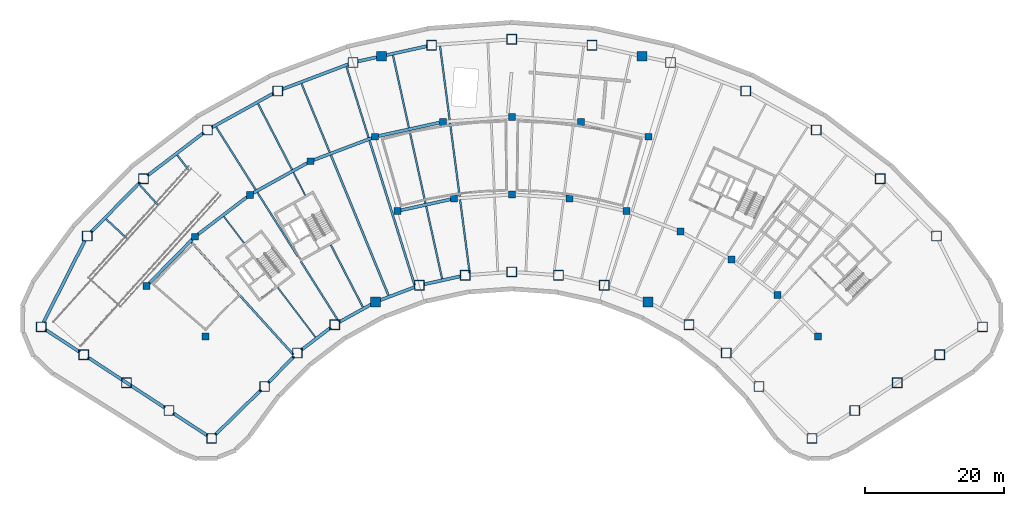
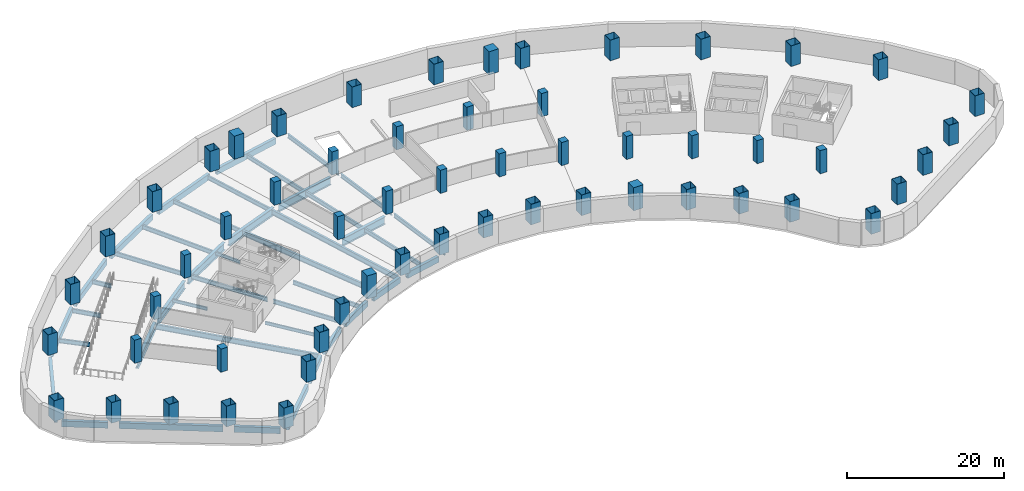
# One storey, part 1 of 10: 57 columns, 43 beams.
"""IFC4 building model written with IfcOpenShell, lengths in metres."""

from ifc_helpers import new_model, si_unit, direction, frame, origin, origin_2d, place, context, subcontext, project, spatial, rectangle, hollow_rectangle, i_section, extrude, material, material_profile, profile_set, type_object, element, save


model = new_model("IFC4")

# Units and contexts
model_context = context("Model", 3, precision=1e-05, world=origin(), true_north=direction((0.0, 1.0)))
body_context = subcontext(model_context, "Body", "Model", "MODEL_VIEW")
ifc_project = project(units=[si_unit("LENGTHUNIT", "METRE"), si_unit("AREAUNIT", "SQUARE_METRE"), si_unit("VOLUMEUNIT", "CUBIC_METRE"), si_unit("PLANEANGLEUNIT", "RADIAN"), si_unit("MASSUNIT", "GRAM", prefix="KILO")], contexts=[model_context])

# Site, building, storey
site_placement = place(None, origin())
site = spatial("IfcSite", under=ifc_project, at=site_placement, CompositionType="ELEMENT")
building_placement = place(site_placement, origin())
building = spatial("IfcBuilding", under=site, at=building_placement, Name="Tuul Gate Civic Tower", CompositionType="ELEMENT")
storey_placement = place(building_placement, frame((0.0, 0.0, -8.10009765625)))
storey = spatial("IfcBuildingStorey", under=building, at=storey_placement, Name="Basement 2", CompositionType="ELEMENT", Elevation=-8.10009765625)

# Columns
ifc_material_1 = material(Name="Steel S355", Category="steel")
ifc_material_profile_1 = material_profile(ifc_material_1, hollow_rectangle(XDim=1.39990234375, YDim=1.39990234375, WallThickness=0.0400390625, at=origin_2d()), Name="BOX1400x1400x40")
ifc_profile_set_1 = profile_set([ifc_material_profile_1], Name="Steel S355")
column_type_1 = type_object("IfcColumnType", Name="STR-COLUMN-BOX1400x1400x40", PredefinedType="COLUMN", material=ifc_profile_set_1)
for number, where, z_axis, x_axis, name in (
    (1, (67.56201171875, -21.366943359375, 0.0), (0.0, 0.0, 1.0), (1.0, 0.0, 0.0), "Column"),
    (2, (60.9609375, -8.327880859375, 0.0), (0.0, 0.0, 1.0), (1.0, 0.0, 0.0), "Column"),
    (3, (52.8779296875, -0.08203125, 0.0), (0.0, 0.0, 1.0), (1.0, 0.0, 0.0), "Column"),
    (4, (43.69091796875, 6.9130859375, 0.0), (0.0, 0.0, 1.0), (1.0, 0.0, 0.0), "Column"),
    (5, (33.592041015625, 12.510986328125, 0.0), (0.0, 0.0, 1.0), (1.0, 0.0, 0.0), "Column"),
    (6, (22.7919921875, 16.594970703125, 0.0), (0.0, 0.0, 1.0), (1.0, 0.0, 0.0), "Column"),
    (7, (11.51611328125, 19.080078125, 0.0), (0.0, 0.0, 1.0), (1.0, 0.0, 0.0), "Column"),
    (8, (0.0, 19.9140625, 0.0), (0.0, 0.0, 1.0), (1.0, 0.0, 0.0), "Column"),
    (9, (-11.51611328125, 19.080078125, 0.0), (0.0, 0.0, 1.0), (1.0, 0.0, 0.0), "Column"),
    (10, (-22.7919921875, 16.594970703125, 0.0), (0.0, 0.0, 1.0), (1.0, 0.0, 0.0), "Column"),
    (11, (-33.592041015625, 12.510986328125, 0.0), (0.0, 0.0, 1.0), (1.0, 0.0, 0.0), "Column"),
    (12, (-43.69091796875, 6.9130859375, 0.0), (0.0, 0.0, 1.0), (1.0, 0.0, 0.0), "Column"),
    (13, (-52.8779296875, -0.08203125, 0.0), (0.0, 0.0, 1.0), (1.0, 0.0, 0.0), "Column"),
    (14, (-60.9609375, -8.327880859375, 0.0), (0.0, 0.0, 1.0), (1.0, 0.0, 0.0), "Column"),
    (15, (-67.56201171875, -21.366943359375, 0.0), (0.0, 0.0, 1.0), (1.0, 0.0, 0.0), "Column"),
    (16, (-61.447021484375, -25.368896484375, 0.0), (0.0, 0.0, 1.0), (1.0, 0.0, 0.0), "Column"),
    (17, (-55.33203125, -29.37109375, 0.0), (0.0, 0.0, 1.0), (1.0, 0.0, 0.0), "Column"),
    (18, (-49.218017578125, -33.3720703125, 0.0), (0.0, 0.0, 1.0), (1.0, 0.0, 0.0), "Column"),
    (19, (-43.10302734375, -37.3740234375, 0.0), (0.0, 0.0, 1.0), (1.0, 0.0, 0.0), "Column"),
    (20, (-35.491943359375, -29.916015625, 0.0), (0.0, 0.0, 1.0), (1.0, 0.0, 0.0), "Column"),
    (21, (-30.785888671875, -25.114990234375, 0.0), (0.0, 0.0, 1.0), (1.0, 0.0, 0.0), "Column"),
    (22, (-25.43798828125, -21.04296875, 0.0), (0.0, 0.0, 1.0), (1.0, 0.0, 0.0), "Column"),
    (23, (-13.27001953125, -15.406005859375, 0.0), (0.0, 0.0, 1.0), (1.0, 0.0, 0.0), "Column"),
    (24, (-6.705078125, -13.958984375, 0.0), (0.0, 0.0, 1.0), (1.0, 0.0, 0.0), "Column"),
    (25, (0.0, -13.472900390625, 0.0), (0.0, 0.0, 1.0), (1.0, 0.0, 0.0), "Column"),
    (26, (6.705078125, -13.958984375, 0.0), (0.0, 0.0, 1.0), (1.0, 0.0, 0.0), "Column"),
    (27, (13.27001953125, -15.406005859375, 0.0), (0.0, 0.0, 1.0), (1.0, 0.0, 0.0), "Column"),
    (28, (25.43798828125, -21.04296875, 0.0), (0.0, 0.0, 1.0), (1.0, 0.0, 0.0), "Column"),
    (29, (30.785888671875, -25.114990234375, 0.0), (0.0, 0.0, 1.0), (1.0, 0.0, 0.0), "Column"),
    (30, (35.491943359375, -29.916015625, 0.0), (0.0, 0.0, 1.0), (1.0, 0.0, 0.0), "Column"),
    (31, (43.10302734375, -37.3740234375, 0.0), (0.0, 0.0, 1.0), (1.0, 0.0, 0.0), "Column"),
    (32, (49.218017578125, -33.3720703125, 0.0), (0.0, 0.0, 1.0), (1.0, 0.0, 0.0), "Column"),
    (33, (55.33203125, -29.37109375, 0.0), (0.0, 0.0, 1.0), (1.0, 0.0, 0.0), "Column"),
    (34, (61.447021484375, -25.368896484375, 0.0), (0.0, 0.0, 1.0), (1.0, 0.0, 0.0), "Column"),
):
    element("IfcColumn", number, at=place(storey_placement, frame(where, z_axis=z_axis, x_axis=x_axis)), inside=storey, type_object=column_type_1, Name=name, PredefinedType="COLUMN", context=body_context, shape_type="SweptSolid", body=[
        extrude(hollow_rectangle(XDim=1.39990234375, YDim=1.39990234375, WallThickness=0.0400390625, at=origin_2d()), origin(), (0.0, 0.0, 1.0), 3.2001953125),
    ])
ifc_material_2 = material(Name="Concrete C60/75", Category="concrete")
ifc_material_profile_2 = material_profile(ifc_material_2, rectangle(XDim=1.0, YDim=1.0, at=origin_2d()), Name="RC1000x1000")
ifc_profile_set_2 = profile_set([ifc_material_profile_2], Name="Concrete C60/75")
column_type_2 = type_object("IfcColumnType", Name="STR-COLUMN-RC1000x1000", PredefinedType="COLUMN", material=ifc_profile_set_2)
for number, where, z_axis, x_axis, name in (
    (35, (-52.471435546875, -15.52392578125, 0.0), (0.0, 0.0, 1.0), (1.0, 0.0, 0.0), "Interior column"),
    (36, (-45.513916015625, -8.42626953125, 0.0), (0.0, 0.0, 1.0), (1.0, 0.0, 0.0), "Interior column"),
    (37, (-37.606689453125, -2.40576171875, 0.0), (0.0, 0.0, 1.0), (1.0, 0.0, 0.0), "Interior column"),
    (38, (-28.9140625, 2.4130859375, 0.0), (0.0, 0.0, 1.0), (1.0, 0.0, 0.0), "Interior column"),
    (39, (-19.617919921875, 5.927978515625, 0.0), (0.0, 0.0, 1.0), (1.0, 0.0, 0.0), "Interior column"),
    (40, (-9.912353515625, 8.06689453125, 0.0), (0.0, 0.0, 1.0), (1.0, 0.0, 0.0), "Interior column"),
    (41, (0.0, 8.784912109375, 0.0), (0.0, 0.0, 1.0), (1.0, 0.0, 0.0), "Interior column"),
    (42, (9.912353515625, 8.06689453125, 0.0), (0.0, 0.0, 1.0), (1.0, 0.0, 0.0), "Interior column"),
    (43, (19.617919921875, 5.927978515625, 0.0), (0.0, 0.0, 1.0), (1.0, 0.0, 0.0), "Interior column"),
    (44, (-43.981689453125, -22.719970703125, 0.0), (0.0, 0.0, 1.0), (1.0, 0.0, 0.0), "Interior column"),
    (45, (-16.444091796875, -4.739013671875, 0.0), (0.0, 0.0, 1.0), (1.0, 0.0, 0.0), "Interior column"),
    (46, (-8.30859375, -2.946044921875, 0.0), (0.0, 0.0, 1.0), (1.0, 0.0, 0.0), "Interior column"),
    (47, (0.0, -2.343994140625, 0.0), (0.0, 0.0, 1.0), (1.0, 0.0, 0.0), "Interior column"),
    (48, (8.30859375, -2.946044921875, 0.0), (0.0, 0.0, 1.0), (1.0, 0.0, 0.0), "Interior column"),
    (49, (16.444091796875, -4.739013671875, 0.0), (0.0, 0.0, 1.0), (1.0, 0.0, 0.0), "Interior column"),
    (50, (24.236083984375, -7.68505859375, 0.0), (0.0, 0.0, 1.0), (1.0, 0.0, 0.0), "Interior column"),
    (51, (31.522216796875, -11.724365234375, 0.0), (0.0, 0.0, 1.0), (1.0, 0.0, 0.0), "Interior column"),
    (52, (38.14990234375, -16.770751953125, 0.0), (0.0, 0.0, 1.0), (1.0, 0.0, 0.0), "Interior column"),
    (53, (43.981689453125, -22.719970703125, 0.0), (0.0, 0.0, 1.0), (1.0, 0.0, 0.0), "Interior column"),
):
    element("IfcColumn", number, at=place(storey_placement, frame(where, z_axis=z_axis, x_axis=x_axis)), inside=storey, type_object=column_type_2, Name=name, PredefinedType="COLUMN", context=body_context, shape_type="SweptSolid", body=[
        extrude(rectangle(XDim=1.0, YDim=1.0, at=origin_2d()), origin(), (0.0, 0.0, 1.0), 3.60009765625),
    ])
ifc_material_3 = material(Name="Concrete C60/75", Category="concrete")
ifc_material_profile_3 = material_profile(ifc_material_3, rectangle(XDim=1.39990234375, YDim=1.39990234375, at=origin_2d()), Name="RC1400x1400")
ifc_profile_set_3 = profile_set([ifc_material_profile_3], Name="Concrete C60/75")
column_type_3 = type_object("IfcColumnType", Name="STR-COLUMN-RC1400x1400", PredefinedType="COLUMN", material=ifc_profile_set_3)
for number, where, z_axis, x_axis, name in (
    (54, (-18.699951171875, 17.496826171875, 0.0), (0.0, 0.0, 1.0), (1.0, 0.0, 0.0), "Arch jamb column"),
    (55, (-19.55810546875, -17.782958984375, 0.0), (0.0, 0.0, 1.0), (1.0, 0.0, 0.0), "Arch jamb column"),
    (56, (18.699951171875, 17.496826171875, 0.0), (0.0, 0.0, 1.0), (1.0, 0.0, 0.0), "Arch jamb column"),
    (57, (19.55810546875, -17.782958984375, 0.0), (0.0, 0.0, 1.0), (1.0, 0.0, 0.0), "Arch jamb column"),
):
    element("IfcColumn", number, at=place(storey_placement, frame(where, z_axis=z_axis, x_axis=x_axis)), inside=storey, type_object=column_type_3, Name=name, PredefinedType="COLUMN", context=body_context, shape_type="SweptSolid", body=[
        extrude(rectangle(XDim=1.39990234375, YDim=1.39990234375, at=origin_2d()), origin(), (0.0, 0.0, 1.0), 3.60009765625),
    ])

# Beams
ifc_material_4 = material(Name="Steel S355", Category="steel")
ifc_material_profile_4 = material_profile(ifc_material_4, i_section(OverallWidth=0.199951171875, OverallDepth=0.5, WebThickness=0.010009765625, FlangeThickness=0.01611328125, at=origin_2d()), Name="PG500x200x10x16")
ifc_profile_set_4 = profile_set([ifc_material_profile_4], Name="Steel S355")
beam_type_1 = type_object("IfcBeamType", Name="STR-FLOOR BEAM-PG500x200x10x16", PredefinedType="BEAM", material=ifc_profile_set_4)
beam_1_placement = place(storey_placement, frame((-29.65625, -2.4814453125, -0.64990234375), z_axis=(-0.458245936385, 0.888825439435, 0.0), x_axis=(-0.888825439435, -0.458245936385, 0.0)))
element("IfcBeam", 58, at=beam_1_placement, inside=storey, type_object=beam_type_1, Name="Floor beam", PredefinedType="BEAM", context=body_context, shape_type="SweptSolid", body=[
    extrude(i_section(OverallWidth=0.199951171875, OverallDepth=0.5, WebThickness=0.010009765625, FlangeThickness=0.01611328125, at=origin_2d()), origin(), (0.0, 0.0, 1.0), 3.697509765625),
])
beam_2_placement = place(storey_placement, frame((-28.20361328125, -22.83447265625, -0.64990234375), z_axis=(-0.604507057629, 0.796599784884, 0.0), x_axis=(-0.796599784884, -0.604507057629, 0.0)))
element("IfcBeam", 59, at=beam_2_placement, inside=storey, type_object=beam_type_1, Name="Floor beam", PredefinedType="BEAM", context=body_context, shape_type="SweptSolid", body=[
    extrude(i_section(OverallWidth=0.199951171875, OverallDepth=0.5, WebThickness=0.010009765625, FlangeThickness=0.01611328125, at=origin_2d()), origin(), (0.0, 0.0, 1.0), 8.951416015625),
])
beam_3_placement = place(storey_placement, frame((-38.45068359375, -9.3310546875, -0.64990234375), z_axis=(-0.604539816506, 0.796574924448, 0.0), x_axis=(-0.796574924448, -0.604539816506, 0.0)))
element("IfcBeam", 60, at=beam_3_placement, inside=storey, type_object=beam_type_1, Name="Floor beam", PredefinedType="BEAM", context=body_context, shape_type="SweptSolid", body=[
    extrude(i_section(OverallWidth=0.199951171875, OverallDepth=0.5, WebThickness=0.010009765625, FlangeThickness=0.01611328125, at=origin_2d()), origin(), (0.0, 0.0, 1.0), 4.77392578125),
])
ifc_material_5 = material(Name="Steel S355", Category="steel")
ifc_material_profile_5 = material_profile(ifc_material_5, i_section(OverallWidth=0.25, OverallDepth=0.64990234375, WebThickness=0.011962890625, FlangeThickness=0.02001953125, at=origin_2d()), Name="PG650x250x12x20")
ifc_profile_set_5 = profile_set([ifc_material_profile_5], Name="Steel S355")
beam_type_2 = type_object("IfcBeamType", Name="STR-FLOOR BEAM-PG650x250x12x20", PredefinedType="BEAM", material=ifc_profile_set_5)
beam_4_placement = place(storey_placement, frame((-6.05029296875, -13.660888671875, -0.724853515625), z_axis=(-0.129450984253, 0.991585822143, 0.0), x_axis=(-0.991585822143, -0.129450984253, 0.0)))
element("IfcBeam", 61, at=beam_4_placement, inside=storey, type_object=beam_type_2, Name="Floor beam", PredefinedType="BEAM", context=body_context, shape_type="SweptSolid", body=[
    extrude(i_section(OverallWidth=0.25, OverallDepth=0.64990234375, WebThickness=0.011962890625, FlangeThickness=0.02001953125, at=origin_2d()), origin(), (0.0, 0.0, 1.0), 10.642578125),
])
beam_5_placement = place(storey_placement, frame((-7.486572265625, -2.660888671875, -0.724853515625), z_axis=(-0.129466374982, 0.991583812771, 0.0), x_axis=(-0.991583812771, -0.129466374982, 0.0)))
element("IfcBeam", 62, at=beam_5_placement, inside=storey, type_object=beam_type_2, Name="Floor beam", PredefinedType="BEAM", context=body_context, shape_type="SweptSolid", body=[
    extrude(i_section(OverallWidth=0.25, OverallDepth=0.64990234375, WebThickness=0.011962890625, FlangeThickness=0.02001953125, at=origin_2d()), origin(), (0.0, 0.0, 1.0), 10.667724609375),
])
beam_6_placement = place(storey_placement, frame((-8.926025390625, 8.364013671875, -0.724853515625), z_axis=(-0.129448039688, 0.99158620655, 0.0), x_axis=(-0.99158620655, -0.129448039688, 0.0)))
element("IfcBeam", 63, at=beam_6_placement, inside=storey, type_object=beam_type_2, Name="Floor beam", PredefinedType="BEAM", context=body_context, shape_type="SweptSolid", body=[
    extrude(i_section(OverallWidth=0.25, OverallDepth=0.64990234375, WebThickness=0.011962890625, FlangeThickness=0.02001953125, at=origin_2d()), origin(), (0.0, 0.0, 1.0), 10.642822265625),
])
beam_7_placement = place(storey_placement, frame((-10.016845703125, -14.432861328125, -0.724853515625), z_axis=(-0.21468424909, 0.976683507178, 0.0), x_axis=(-0.976683507178, -0.21468424909, 0.0)))
element("IfcBeam", 64, at=beam_7_placement, inside=storey, type_object=beam_type_2, Name="Floor beam", PredefinedType="BEAM", context=body_context, shape_type="SweptSolid", body=[
    extrude(i_section(OverallWidth=0.25, OverallDepth=0.64990234375, WebThickness=0.011962890625, FlangeThickness=0.02001953125, at=origin_2d()), origin(), (0.0, 0.0, 1.0), 10.625),
])
beam_8_placement = place(storey_placement, frame((-12.39453125, -3.6162109375, -0.724853515625), z_axis=(-0.214701726188, 0.976679665383, 0.0), x_axis=(-0.976679665383, -0.214701726188, 0.0)))
element("IfcBeam", 65, at=beam_8_placement, inside=storey, type_object=beam_type_2, Name="Floor beam", PredefinedType="BEAM", context=body_context, shape_type="SweptSolid", body=[
    extrude(i_section(OverallWidth=0.25, OverallDepth=0.64990234375, WebThickness=0.011962890625, FlangeThickness=0.02001953125, at=origin_2d()), origin(), (0.0, 0.0, 1.0), 10.650146484375),
])
beam_9_placement = place(storey_placement, frame((-14.77783203125, 7.22509765625, -0.724853515625), z_axis=(-0.214679431183, 0.976684566186, 0.0), x_axis=(-0.976684566186, -0.214679431183, 0.0)))
element("IfcBeam", 66, at=beam_9_placement, inside=storey, type_object=beam_type_2, Name="Floor beam", PredefinedType="BEAM", context=body_context, shape_type="SweptSolid", body=[
    extrude(i_section(OverallWidth=0.25, OverallDepth=0.64990234375, WebThickness=0.011962890625, FlangeThickness=0.02001953125, at=origin_2d()), origin(), (0.0, 0.0, 1.0), 10.625244140625),
])
beam_10_placement = place(storey_placement, frame((-20.569091796875, 5.808837890625, -0.724853515625), z_axis=(-0.298314175954, 0.954467732522, 0.0), x_axis=(-0.954467732522, -0.298314175954, 0.0)))
element("IfcBeam", 67, at=beam_10_placement, inside=storey, type_object=beam_type_2, Name="Floor beam", PredefinedType="BEAM", context=body_context, shape_type="SweptSolid", body=[
    extrude(i_section(OverallWidth=0.25, OverallDepth=0.64990234375, WebThickness=0.011962890625, FlangeThickness=0.02001953125, at=origin_2d()), origin(), (0.0, 0.0, 1.0), 10.643310546875),
])
beam_11_placement = place(storey_placement, frame((-26.146240234375, 3.7001953125, -0.724853515625), z_axis=(-0.379723712326, 0.925099941789, 0.0), x_axis=(-0.925099941789, -0.379723712326, 0.0)))
element("IfcBeam", 68, at=beam_11_placement, inside=storey, type_object=beam_type_2, Name="Floor beam", PredefinedType="BEAM", context=body_context, shape_type="SweptSolid", body=[
    extrude(i_section(OverallWidth=0.25, OverallDepth=0.64990234375, WebThickness=0.011962890625, FlangeThickness=0.02001953125, at=origin_2d()), origin(), (0.0, 0.0, 1.0), 10.629150390625),
])
beam_12_placement = place(storey_placement, frame((-21.390380859375, -18.512939453125, -0.724853515625), z_axis=(-0.458274716769, 0.88881060073, 0.0), x_axis=(-0.88881060073, -0.458274716769, 0.0)))
element("IfcBeam", 69, at=beam_12_placement, inside=storey, type_object=beam_type_2, Name="Floor beam", PredefinedType="BEAM", context=body_context, shape_type="SweptSolid", body=[
    extrude(i_section(OverallWidth=0.25, OverallDepth=0.64990234375, WebThickness=0.011962890625, FlangeThickness=0.02001953125, at=origin_2d()), origin(), (0.0, 0.0, 1.0), 10.03369140625),
])
beam_13_placement = place(storey_placement, frame((-31.556884765625, 1.205078125, -0.724853515625), z_axis=(-0.458267871085, 0.888814130362, 0.0), x_axis=(-0.888814130362, -0.458267871085, 0.0)))
element("IfcBeam", 70, at=beam_13_placement, inside=storey, type_object=beam_type_2, Name="Floor beam", PredefinedType="BEAM", context=body_context, shape_type="SweptSolid", body=[
    extrude(i_section(OverallWidth=0.25, OverallDepth=0.64990234375, WebThickness=0.011962890625, FlangeThickness=0.02001953125, at=origin_2d()), origin(), (0.0, 0.0, 1.0), 10.6298828125),
])
beam_14_placement = place(storey_placement, frame((-24.9248046875, -20.47265625, -0.724853515625), z_axis=(-0.53338296173, 0.845873877204, 0.0), x_axis=(-0.845873877204, -0.53338296173, 0.0)))
element("IfcBeam", 71, at=beam_14_placement, inside=storey, type_object=beam_type_2, Name="Floor beam", PredefinedType="BEAM", context=body_context, shape_type="SweptSolid", body=[
    extrude(i_section(OverallWidth=0.25, OverallDepth=0.64990234375, WebThickness=0.011962890625, FlangeThickness=0.02001953125, at=origin_2d()), origin(), (0.0, 0.0, 1.0), 10.045654296875),
])
beam_15_placement = place(storey_placement, frame((-30.72509765625, -11.2744140625, -0.724853515625), z_axis=(-0.533383609524, 0.845873468724, 0.0), x_axis=(-0.845873468724, -0.533383609524, 0.0)))
element("IfcBeam", 72, at=beam_15_placement, inside=storey, type_object=beam_type_2, Name="Floor beam", PredefinedType="BEAM", context=body_context, shape_type="SweptSolid", body=[
    extrude(i_section(OverallWidth=0.25, OverallDepth=0.64990234375, WebThickness=0.011962890625, FlangeThickness=0.02001953125, at=origin_2d()), origin(), (0.0, 0.0, 1.0), 10.885498046875),
])
beam_16_placement = place(storey_placement, frame((-36.771484375, -1.685546875, -0.724853515625), z_axis=(-0.533386929433, 0.845871375275, 0.0), x_axis=(-0.845871375275, -0.533386929433, 0.0)))
element("IfcBeam", 73, at=beam_16_placement, inside=storey, type_object=beam_type_2, Name="Floor beam", PredefinedType="BEAM", context=body_context, shape_type="SweptSolid", body=[
    extrude(i_section(OverallWidth=0.25, OverallDepth=0.64990234375, WebThickness=0.011962890625, FlangeThickness=0.02001953125, at=origin_2d()), origin(), (0.0, 0.0, 1.0), 10.641845703125),
])
beam_17_placement = place(storey_placement, frame((-46.42919921875, 1.1826171875, -0.724853515625), z_axis=(-0.604529609849, 0.796582670421, 0.0), x_axis=(-0.796582670421, -0.604529609849, 0.0)))
element("IfcBeam", 74, at=beam_17_placement, inside=storey, type_object=beam_type_2, Name="Floor beam", PredefinedType="BEAM", context=body_context, shape_type="SweptSolid", body=[
    extrude(i_section(OverallWidth=0.25, OverallDepth=0.64990234375, WebThickness=0.011962890625, FlangeThickness=0.02001953125, at=origin_2d()), origin(), (0.0, 0.0, 1.0), 2.650390625),
])
beam_18_placement = place(storey_placement, frame((-50.895263671875, -3.77734375, -0.724853515625), z_axis=(-0.671100352155, 0.741366520244, 0.0), x_axis=(-0.741366520244, -0.671100352155, 0.0)))
element("IfcBeam", 75, at=beam_18_placement, inside=storey, type_object=beam_type_2, Name="Floor beam", PredefinedType="BEAM", context=body_context, shape_type="SweptSolid", body=[
    extrude(i_section(OverallWidth=0.25, OverallDepth=0.64990234375, WebThickness=0.011962890625, FlangeThickness=0.02001953125, at=origin_2d()), origin(), (0.0, 0.0, 1.0), 3.759521484375),
])
beam_19_placement = place(storey_placement, frame((-55.282470703125, -8.649658203125, -0.724853515625), z_axis=(-0.732694276054, 0.680557931287, 0.0), x_axis=(-0.680557931287, -0.732694276054, 0.0)))
element("IfcBeam", 76, at=beam_19_placement, inside=storey, type_object=beam_type_2, Name="Floor beam", PredefinedType="BEAM", context=body_context, shape_type="SweptSolid", body=[
    extrude(i_section(OverallWidth=0.25, OverallDepth=0.64990234375, WebThickness=0.011962890625, FlangeThickness=0.02001953125, at=origin_2d()), origin(), (0.0, 0.0, 1.0), 4.03173828125),
])
ifc_material_6 = material(Name="Steel S355", Category="steel")
ifc_material_profile_6 = material_profile(ifc_material_6, i_section(OverallWidth=0.300048828125, OverallDepth=0.800048828125, WebThickness=0.013916015625, FlangeThickness=0.02490234375, at=origin_2d()), Name="PG800x300x14x25")
ifc_profile_set_6 = profile_set([ifc_material_profile_6], Name="Steel S355")
beam_type_3 = type_object("IfcBeamType", Name="STR-FLOOR BEAM-PG800x300x14x25", PredefinedType="BEAM", material=ifc_profile_set_6)
beam_20_placement = place(storey_placement, frame((-13.9423828125, -15.392822265625, -0.7998046875), z_axis=(-0.298320984436, 0.954465604537, 0.0), x_axis=(-0.954465604537, -0.298320984436, 0.0)))
element("IfcBeam", 77, at=beam_20_placement, inside=storey, type_object=beam_type_3, Name="Floor beam", PredefinedType="BEAM", context=body_context, shape_type="SweptSolid", body=[
    extrude(i_section(OverallWidth=0.300048828125, OverallDepth=0.800048828125, WebThickness=0.013916015625, FlangeThickness=0.02490234375, at=origin_2d()), origin(), (0.0, 0.0, 1.0), 21.762451171875),
])
beam_21_placement = place(storey_placement, frame((-17.722900390625, -16.822021484375, -0.7998046875), z_axis=(-0.379711671586, 0.925104884033, 0.0), x_axis=(-0.925104884033, -0.379711671586, 0.0)))
element("IfcBeam", 78, at=beam_21_placement, inside=storey, type_object=beam_type_3, Name="Floor beam", PredefinedType="BEAM", context=body_context, shape_type="SweptSolid", body=[
    extrude(i_section(OverallWidth=0.300048828125, OverallDepth=0.800048828125, WebThickness=0.013916015625, FlangeThickness=0.02490234375, at=origin_2d()), origin(), (0.0, 0.0, 1.0), 21.7333984375),
])
beam_22_placement = place(storey_placement, frame((-31.366455078125, -25.35009765625, -0.7998046875), z_axis=(-0.671111274621, 0.741356632854, 0.0), x_axis=(-0.741356632854, -0.671111274621, 0.0)))
element("IfcBeam", 79, at=beam_22_placement, inside=storey, type_object=beam_type_3, Name="Floor beam", PredefinedType="BEAM", context=body_context, shape_type="SweptSolid", body=[
    extrude(i_section(OverallWidth=0.300048828125, OverallDepth=0.800048828125, WebThickness=0.013916015625, FlangeThickness=0.02490234375, at=origin_2d()), origin(), (0.0, 0.0, 1.0), 21.763916015625),
])
ifc_material_7 = material(Name="Steel S355", Category="steel")
ifc_material_profile_7 = material_profile(ifc_material_7, i_section(OverallWidth=0.449951171875, OverallDepth=1.199951171875, WebThickness=0.02001953125, FlangeThickness=0.0400390625, at=origin_2d()), Name="PG1200x450x20x40")
ifc_profile_set_7 = profile_set([ifc_material_profile_7], Name="Steel S355")
beam_type_4 = type_object("IfcBeamType", Name="STR-RING BEAM-PG1200x450x20x40", PredefinedType="BEAM", material=ifc_profile_set_7)
beam_23_placement = place(storey_placement, frame((-52.121337890625, -15.1669921875, -1.0), z_axis=(0.700011333418, 0.714131733706, 0.0), x_axis=(-0.714131733706, 0.700011333418, 0.0)))
element("IfcBeam", 80, at=beam_23_placement, inside=storey, type_object=beam_type_4, Name="Ring girder", PredefinedType="BEAM", context=body_context, shape_type="SweptSolid", body=[
    extrude(i_section(OverallWidth=0.449951171875, OverallDepth=1.199951171875, WebThickness=0.02001953125, FlangeThickness=0.0400390625, at=origin_2d()), origin(), (0.0, 0.0, 1.0), 8.93896484375),
])
beam_24_placement = place(storey_placement, frame((-45.1162109375, -8.12353515625, -1.0), z_axis=(0.795619775117, 0.605796313494, 0.0), x_axis=(-0.605796313494, 0.795619775117, 0.0)))
element("IfcBeam", 81, at=beam_24_placement, inside=storey, type_object=beam_type_4, Name="Ring girder", PredefinedType="BEAM", context=body_context, shape_type="SweptSolid", body=[
    extrude(i_section(OverallWidth=0.449951171875, OverallDepth=1.199951171875, WebThickness=0.02001953125, FlangeThickness=0.0400390625, at=origin_2d()), origin(), (0.0, 0.0, 1.0), 8.938720703125),
])
beam_25_placement = place(storey_placement, frame((-37.16943359375, -2.163330078125, -1.0), z_axis=(0.874603942318, 0.484838059646, 0.0), x_axis=(-0.484838059646, 0.874603942318, 0.0)))
element("IfcBeam", 82, at=beam_25_placement, inside=storey, type_object=beam_type_4, Name="Ring girder", PredefinedType="BEAM", context=body_context, shape_type="SweptSolid", body=[
    extrude(i_section(OverallWidth=0.449951171875, OverallDepth=1.199951171875, WebThickness=0.02001953125, FlangeThickness=0.0400390625, at=origin_2d()), origin(), (0.0, 0.0, 1.0), 8.93896484375),
])
beam_26_placement = place(storey_placement, frame((-28.4462890625, 2.58984375, -1.0), z_axis=(0.935363691273, 0.353687383218, 0.0), x_axis=(-0.353687383218, 0.935363691273, 0.0)))
element("IfcBeam", 83, at=beam_26_placement, inside=storey, type_object=beam_type_4, Name="Ring girder", PredefinedType="BEAM", context=body_context, shape_type="SweptSolid", body=[
    extrude(i_section(OverallWidth=0.449951171875, OverallDepth=1.199951171875, WebThickness=0.02001953125, FlangeThickness=0.0400390625, at=origin_2d()), origin(), (0.0, 0.0, 1.0), 8.938232421875),
])
beam_27_placement = place(storey_placement, frame((-19.129638671875, 6.03564453125, -1.0), z_axis=(0.976563468048, 0.215229628244, 0.0), x_axis=(-0.215229628244, 0.976563468048, 0.0)))
element("IfcBeam", 84, at=beam_27_placement, inside=storey, type_object=beam_type_4, Name="Ring girder", PredefinedType="BEAM", context=body_context, shape_type="SweptSolid", body=[
    extrude(i_section(OverallWidth=0.449951171875, OverallDepth=1.199951171875, WebThickness=0.02001953125, FlangeThickness=0.0400390625, at=origin_2d()), origin(), (0.0, 0.0, 1.0), 8.9384765625),
])
beam_28_placement = place(storey_placement, frame((-15.955810546875, -4.63134765625, -1.0), z_axis=(0.97656794967, 0.215209292731, 0.0), x_axis=(-0.215209292731, 0.97656794967, 0.0)))
element("IfcBeam", 85, at=beam_28_placement, inside=storey, type_object=beam_type_4, Name="Ring girder", PredefinedType="BEAM", context=body_context, shape_type="SweptSolid", body=[
    extrude(i_section(OverallWidth=0.449951171875, OverallDepth=1.199951171875, WebThickness=0.02001953125, FlangeThickness=0.0400390625, at=origin_2d()), origin(), (0.0, 0.0, 1.0), 7.330810546875),
])
ifc_material_8 = material(Name="Steel S355", Category="steel")
ifc_material_profile_8 = material_profile(ifc_material_8, hollow_rectangle(XDim=0.449951171875, YDim=0.89990234375, WallThickness=0.02490234375, at=origin_2d()), Name="BOX900x450x25")
ifc_profile_set_8 = profile_set([ifc_material_profile_8], Name="Steel S355")
beam_type_5 = type_object("IfcBeamType", Name="STR-SPANDREL BEAM-BOX900x450x25", PredefinedType="BEAM", material=ifc_profile_set_8)
for number, where, z_axis, x_axis, name in (
    (86, (-12.19970703125, 18.929443359375, -0.849853515625), (-0.976563206365, -0.215230815575, 0.0), (0.215230815575, -0.976563206365, 0.0), "Spandrel beam"),
    (87, (-23.44677734375, 16.347412109375, -0.849853515625), (-0.935355549891, -0.353708913215, 0.0), (0.353708913215, -0.935355549891, 0.0), "Spandrel beam"),
):
    element("IfcBeam", number, at=place(storey_placement, frame(where, z_axis=z_axis, x_axis=x_axis)), inside=storey, type_object=beam_type_5, Name=name, PredefinedType="BEAM", context=body_context, shape_type="SweptSolid", body=[
        extrude(hollow_rectangle(XDim=0.449951171875, YDim=0.89990234375, WallThickness=0.02490234375, at=origin_2d()), origin(), (0.0, 0.0, 1.0), 10.146484375),
    ])
for number, where, z_axis, x_axis, name in (
    (88, (-34.204345703125, 12.171630859375, -0.849853515625), (-0.874621074476, -0.484807153497, 0.0), (0.484807153497, -0.874621074476, 0.0), "Spandrel beam"),
    (89, (-44.248046875, 6.489013671875, -0.849853515625), (-0.795616160285, -0.605801060987, 0.0), (0.605801060987, -0.795616160285, 0.0), "Spandrel beam"),
):
    element("IfcBeam", number, at=place(storey_placement, frame(where, z_axis=z_axis, x_axis=x_axis)), inside=storey, type_object=beam_type_5, Name=name, PredefinedType="BEAM", context=body_context, shape_type="SweptSolid", body=[
        extrude(hollow_rectangle(XDim=0.449951171875, YDim=0.89990234375, WallThickness=0.02490234375, at=origin_2d()), origin(), (0.0, 0.0, 1.0), 10.146728515625),
    ])
beam_29_placement = place(storey_placement, frame((-53.367919921875, -0.581787109375, -0.849853515625), z_axis=(-0.700009826077, -0.714133211239, 0.0), x_axis=(0.714133211239, -0.700009826077, 0.0)))
element("IfcBeam", 90, at=beam_29_placement, inside=storey, type_object=beam_type_5, Name="Spandrel beam", PredefinedType="BEAM", context=body_context, shape_type="SweptSolid", body=[
    extrude(hollow_rectangle(XDim=0.449951171875, YDim=0.89990234375, WallThickness=0.02490234375, at=origin_2d()), origin(), (0.0, 0.0, 1.0), 10.14697265625),
])
beam_30_placement = place(storey_placement, frame((-61.277099609375, -8.95263671875, -0.849853515625), z_axis=(-0.451678979782, -0.892180530623, 0.0), x_axis=(0.892180530623, -0.451678979782, 0.0)))
element("IfcBeam", 91, at=beam_30_placement, inside=storey, type_object=beam_type_5, Name="Spandrel beam", PredefinedType="BEAM", context=body_context, shape_type="SweptSolid", body=[
    extrude(hollow_rectangle(XDim=0.449951171875, YDim=0.89990234375, WallThickness=0.02490234375, at=origin_2d()), origin(), (0.0, 0.0, 1.0), 13.214599609375),
])
beam_31_placement = place(storey_placement, frame((-66.976318359375, -21.750244140625, -0.849853515625), z_axis=(0.836737319566, -0.547604472265, 0.0), x_axis=(0.547604472265, 0.836737319566, 0.0)))
element("IfcBeam", 92, at=beam_31_placement, inside=storey, type_object=beam_type_5, Name="Spandrel beam", PredefinedType="BEAM", context=body_context, shape_type="SweptSolid", body=[
    extrude(hollow_rectangle(XDim=0.449951171875, YDim=0.89990234375, WallThickness=0.02490234375, at=origin_2d()), origin(), (0.0, 0.0, 1.0), 5.908203125),
])
beam_32_placement = place(storey_placement, frame((-60.861328125, -25.752197265625, -0.849853515625), z_axis=(0.836741071493, -0.547598739294, 0.0), x_axis=(0.547598739294, 0.836741071493, 0.0)))
element("IfcBeam", 93, at=beam_32_placement, inside=storey, type_object=beam_type_5, Name="Spandrel beam", PredefinedType="BEAM", context=body_context, shape_type="SweptSolid", body=[
    extrude(hollow_rectangle(XDim=0.449951171875, YDim=0.89990234375, WallThickness=0.02490234375, at=origin_2d()), origin(), (0.0, 0.0, 1.0), 13.215087890625),
])
beam_33_placement = place(storey_placement, frame((-48.63232421875, -33.75537109375, -0.849853515625), z_axis=(0.836737319566, -0.547604472265, 0.0), x_axis=(0.547604472265, 0.836737319566, 0.0)))
element("IfcBeam", 94, at=beam_33_placement, inside=storey, type_object=beam_type_5, Name="Spandrel beam", PredefinedType="BEAM", context=body_context, shape_type="SweptSolid", body=[
    extrude(hollow_rectangle(XDim=0.449951171875, YDim=0.89990234375, WallThickness=0.02490234375, at=origin_2d()), origin(), (0.0, 0.0, 1.0), 5.908203125),
])
beam_34_placement = place(storey_placement, frame((-42.60302734375, -36.884033203125, -0.849853515625), z_axis=(0.714257932821, 0.699882565437, 0.0), x_axis=(-0.699882565437, 0.714257932821, 0.0)))
element("IfcBeam", 95, at=beam_34_placement, inside=storey, type_object=beam_type_5, Name="Spandrel beam", PredefinedType="BEAM", context=body_context, shape_type="SweptSolid", body=[
    extrude(hollow_rectangle(XDim=0.449951171875, YDim=0.89990234375, WallThickness=0.02490234375, at=origin_2d()), origin(), (0.0, 0.0, 1.0), 9.255859375),
])
beam_35_placement = place(storey_placement, frame((-35.001953125, -29.416015625, -0.849853515625), z_axis=(0.700007662648, 0.714135331876, 0.0), x_axis=(-0.714135331876, 0.700007662648, 0.0)))
element("IfcBeam", 96, at=beam_35_placement, inside=storey, type_object=beam_type_5, Name="Spandrel beam", PredefinedType="BEAM", context=body_context, shape_type="SweptSolid", body=[
    extrude(hollow_rectangle(XDim=0.449951171875, YDim=0.89990234375, WallThickness=0.02490234375, at=origin_2d()), origin(), (0.0, 0.0, 1.0), 5.322509765625),
])
beam_36_placement = place(storey_placement, frame((-30.22900390625, -24.69091796875, -0.849853515625), z_axis=(0.795624397763, 0.605790242315, 0.0), x_axis=(-0.605790242315, 0.795624397763, 0.0)))
element("IfcBeam", 97, at=beam_36_placement, inside=storey, type_object=beam_type_5, Name="Spandrel beam", PredefinedType="BEAM", context=body_context, shape_type="SweptSolid", body=[
    extrude(hollow_rectangle(XDim=0.449951171875, YDim=0.89990234375, WallThickness=0.02490234375, at=origin_2d()), origin(), (0.0, 0.0, 1.0), 5.32177734375),
])
beam_37_placement = place(storey_placement, frame((-24.82568359375, -20.70361328125, -0.849853515625), z_axis=(0.87456368019, 0.484910681769, 0.0), x_axis=(-0.484910681769, 0.87456368019, 0.0)))
element("IfcBeam", 98, at=beam_37_placement, inside=storey, type_object=beam_type_5, Name="Spandrel beam", PredefinedType="BEAM", context=body_context, shape_type="SweptSolid", body=[
    extrude(hollow_rectangle(XDim=0.449951171875, YDim=0.89990234375, WallThickness=0.02490234375, at=origin_2d()), origin(), (0.0, 0.0, 1.0), 5.3232421875),
])
beam_38_placement = place(storey_placement, frame((-18.9033203125, -17.535400390625, -0.849853515625), z_axis=(0.935406025935, 0.353575404468, 0.0), x_axis=(-0.353575404468, 0.935406025935, 0.0)))
element("IfcBeam", 99, at=beam_38_placement, inside=storey, type_object=beam_type_5, Name="Spandrel beam", PredefinedType="BEAM", context=body_context, shape_type="SweptSolid", body=[
    extrude(hollow_rectangle(XDim=0.449951171875, YDim=0.89990234375, WallThickness=0.02490234375, at=origin_2d()), origin(), (0.0, 0.0, 1.0), 5.322265625),
])
beam_39_placement = place(storey_placement, frame((-12.58642578125, -15.25537109375, -0.849853515625), z_axis=(0.976555830426, 0.215264279577, 0.0), x_axis=(-0.215264279577, 0.976555830426, 0.0)))
element("IfcBeam", 100, at=beam_39_placement, inside=storey, type_object=beam_type_5, Name="Spandrel beam", PredefinedType="BEAM", context=body_context, shape_type="SweptSolid", body=[
    extrude(hollow_rectangle(XDim=0.449951171875, YDim=0.89990234375, WallThickness=0.02490234375, at=origin_2d()), origin(), (0.0, 0.0, 1.0), 5.322509765625),
])

save(model, "model.ifc")
